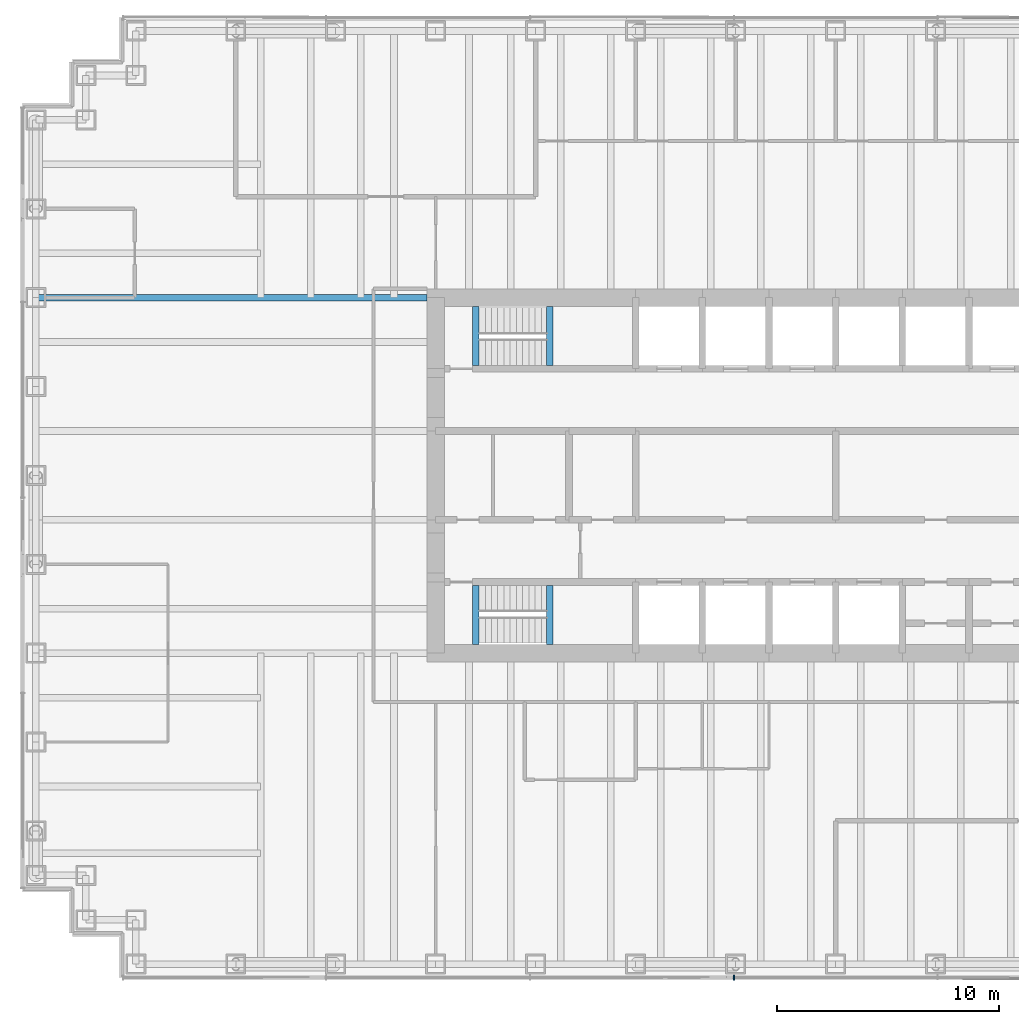
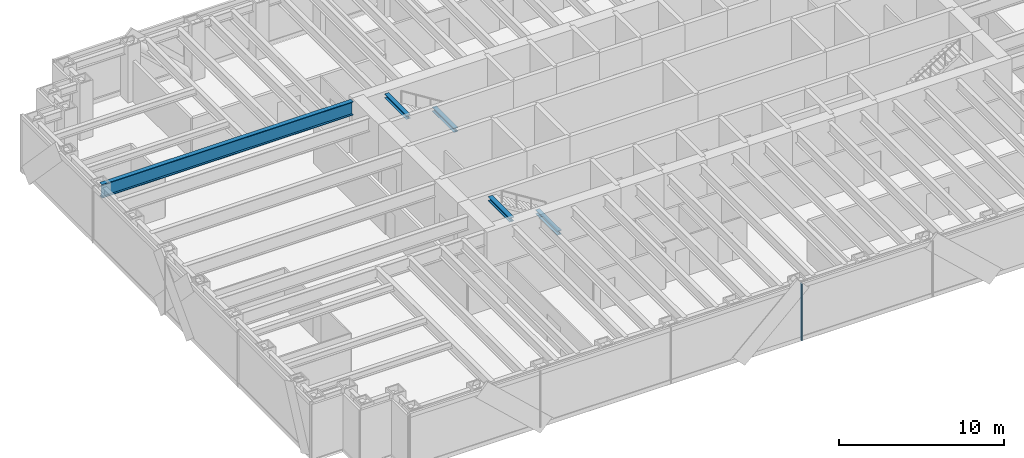
# One storey, part 3 of 15: 5 beams, 1 member, 1 element without a shape of its own.
"""IFC4 building model written with IfcOpenShell, lengths in metres."""

import ifcopenshell
import ifcopenshell.guid

model = None  # the IFC model being written
_history = None  # IfcOwnerHistory: only IFC2X3 demands one
_inside = {}  # id of a spatial element -> (the spatial element, [elements in it])
_under = {}  # id of a project, library or spatial element -> (it, [spatial elements below it])
_declared = {}  # id of a project -> (the project, [libraries it declares])
_typed = {}  # id of a type object -> (the type object, [elements of that type])
_made_of = {}  # id of a material, layer set ... -> (it, [elements and type objects made of it])


def new_model(schema):
    """Start an empty IFC model of exactly this schema.

    Asked for "IFC4X3", IfcOpenShell would pick the latest addendum, in which some entities
    have other attributes; the version numbers below select the first issue.
    IFC2X3 requires an IfcOwnerHistory on every rooted entity: one is made here for all.
    """
    global model, _history
    if schema == "IFC4X3":
        model = ifcopenshell.file(schema_version=(4, 3, 0, 0))
    else:
        model = ifcopenshell.file(schema=schema)
    _inside.clear()
    _under.clear()
    _declared.clear()
    _typed.clear()
    _made_of.clear()
    _history = None
    if model.schema == "IFC2X3":
        org = make("IfcOrganization", Name="unknown")
        user = make(
            "IfcPersonAndOrganization",
            ThePerson=make("IfcPerson", FamilyName="unknown"),
            TheOrganization=org,
        )
        app = make(
            "IfcApplication",
            ApplicationDeveloper=org,
            Version="unknown",
            ApplicationFullName="unknown",
            ApplicationIdentifier="unknown",
        )
        _history = make(
            "IfcOwnerHistory",
            OwningUser=user,
            OwningApplication=app,
            ChangeAction="ADDED",
            CreationDate=0,
        )
    return model


def make(cls, **values):
    """One entity of the class cls with the attributes given. An attribute that is None is left unset."""
    return model.create_entity(
        cls, **{name: value for name, value in values.items() if value is not None}
    )


def rooted(cls, **values):
    """An entity with a GlobalId (a new one), such as an element, a storey or a relation."""
    return make(cls, GlobalId=ifcopenshell.guid.new(), OwnerHistory=_history, **values)


def si_unit(unit_type, name, prefix=None):
    """IfcSIUnit, for example si_unit("LENGTHUNIT", "METRE", prefix="MILLI")."""
    return make("IfcSIUnit", UnitType=unit_type, Prefix=prefix, Name=name)


def assignment(units):
    """IfcUnitAssignment: the units of a project."""
    return None if units is None else make("IfcUnitAssignment", Units=units)


def point(xyz):
    """IfcCartesianPoint."""
    return None if xyz is None else make("IfcCartesianPoint", Coordinates=xyz)


def direction(xyz):
    """IfcDirection."""
    return None if xyz is None else make("IfcDirection", DirectionRatios=xyz)


def frame(location, z_axis=None, x_axis=None):
    """IfcAxis2Placement3D, a coordinate frame: its origin and axes. An axis left out is left unset."""
    return make(
        "IfcAxis2Placement3D",
        Location=point(location),
        Axis=direction(z_axis),
        RefDirection=direction(x_axis),
    )


def frame_2d(location, x_axis=None):
    """IfcAxis2Placement2D, a coordinate frame in the plane: its origin and x axis."""
    return make(
        "IfcAxis2Placement2D", Location=point(location), RefDirection=direction(x_axis)
    )


def origin():
    """The frame at (0, 0, 0) with its axes left unset."""
    return frame((0.0, 0.0, 0.0))


def origin_2d():
    """The frame at (0, 0) in the plane with its x axis left unset."""
    return frame_2d((0.0, 0.0))


def place(relative_to, where):
    """IfcLocalPlacement: puts the frame where relative to a parent placement (None: the world)."""
    return make(
        "IfcLocalPlacement", PlacementRelTo=relative_to, RelativePlacement=where
    )


def context(
    kind, dimensions, precision=None, world=None, true_north=None, identifier=None
):
    """IfcGeometricRepresentationContext, for example the 3D "Model" context."""
    return make(
        "IfcGeometricRepresentationContext",
        ContextIdentifier=identifier,
        ContextType=kind,
        CoordinateSpaceDimension=dimensions,
        Precision=precision,
        WorldCoordinateSystem=world,
        TrueNorth=true_north,
    )


def subcontext(parent, identifier, kind, view, scale=None):
    """IfcGeometricRepresentationSubContext, for example "Body" below "Model"."""
    return make(
        "IfcGeometricRepresentationSubContext",
        ContextIdentifier=identifier,
        ContextType=kind,
        ParentContext=parent,
        TargetScale=scale,
        TargetView=view,
    )


def project(units=None, contexts=None):
    """IfcProject with its units and contexts."""
    return rooted(
        "IfcProject",
        Name="project",
        RepresentationContexts=contexts,
        UnitsInContext=assignment(units),
    )


def spatial(cls, under=None, at=None, **own):
    """A site, building, storey or space (cls), placed at a placement, below another one or the project."""
    s = rooted(cls, ObjectPlacement=at, **own)
    if under is not None:
        _under.setdefault(under.id(), (under, []))[1].append(s)
    return s


def profile(cls, at=None, kind="AREA", **sizes):
    """A parametric profile (cls). Its sizes go by their IFC names, for example OverallWidth=200.0."""
    return make(cls, ProfileType=kind, Position=at, **sizes)


def rectangle(**sizes):
    """IfcRectangleProfileDef."""
    return profile("IfcRectangleProfileDef", **sizes)


def i_section(**sizes):
    """IfcIShapeProfileDef."""
    return profile("IfcIShapeProfileDef", **sizes)


def extrude(swept, where, along, depth):
    """IfcExtrudedAreaSolid: the profile swept, set in the frame where, extruded along a direction by depth."""
    return make(
        "IfcExtrudedAreaSolid",
        SweptArea=swept,
        Position=where,
        ExtrudedDirection=direction(along),
        Depth=depth,
    )


def shape(context_of_items, identifier, shape_type, items):
    """IfcShapeRepresentation: the items that make up one representation, for example the "Body"."""
    return make(
        "IfcShapeRepresentation",
        ContextOfItems=context_of_items,
        RepresentationIdentifier=identifier,
        RepresentationType=shape_type,
        Items=items,
    )


def material(Name=None, Category=None):
    """IfcMaterial."""
    return make("IfcMaterial", Name=Name, Category=Category)


def material_profile(
    of_material, cross_section, Name=None, Category=None, Priority=None
):
    """IfcMaterialProfile: a cross section and its material."""
    return make(
        "IfcMaterialProfile",
        Name=Name,
        Material=of_material,
        Profile=cross_section,
        Priority=Priority,
        Category=Category,
    )


def profile_set(profiles, Name=None, composite=None):
    """IfcMaterialProfileSet."""
    return make(
        "IfcMaterialProfileSet",
        Name=Name,
        MaterialProfiles=profiles,
        CompositeProfile=composite,
    )


def made_of(thing, what):
    """Note that an element or type object is made of a material, layer set ...; save() writes the relation."""
    if what is not None:
        _made_of.setdefault(what.id(), (what, []))[1].append(thing)
    return thing


def type_object(cls, material=None, **own):
    """A type object (cls), such as IfcWallType, which elements share."""
    return made_of(rooted(cls, **own), material)


def element(
    cls,
    number,
    at=None,
    inside=None,
    cuts=None,
    type_object=None,
    material=None,
    context=None,
    identifier="Body",
    shape_type=None,
    held_by="IfcProductDefinitionShape",
    body=None,
    shapes=None,
    **own,
):
    """One element of the class cls, such as IfcWall. Its Tag is "e" and its number.

    at: its placement. inside: the storey or other place that contains it. cuts: it is an
    opening in that element (IfcRelVoidsElement). A single representation is given by context,
    identifier, shape_type and body (its items); several are given by shapes. held_by: the class
    of the entity that holds the representations. save() writes the other relations.
    """
    e = rooted(cls, Tag="e%d" % number, ObjectPlacement=at, **own)
    if body is not None:
        shapes = [shape(context, identifier, shape_type, body)]
    if shapes is not None:
        e.Representation = make(held_by, Representations=shapes)
    if inside is not None:
        _inside.setdefault(inside.id(), (inside, []))[1].append(e)
    if cuts is not None:
        rooted(
            "IfcRelVoidsElement", RelatingBuildingElement=cuts, RelatedOpeningElement=e
        )
    if type_object is not None:
        _typed.setdefault(type_object.id(), (type_object, []))[1].append(e)
    return made_of(e, material)


def aggregate(whole, parts):
    """IfcRelAggregates: a whole, such as a stair, and the parts it consists of."""
    return rooted("IfcRelAggregates", RelatingObject=whole, RelatedObjects=parts)


def save(model, path):
    """Write the relations noted so far, then the file.

    IfcRelAggregates (storeys below a building ...), IfcRelContainedInSpatialStructure (elements
    in a storey), IfcRelDefinesByType, IfcRelAssociatesMaterial and IfcRelDeclares: one each for
    every whole, place, type object, material and project.
    """
    for whole, parts in _under.values():
        aggregate(whole, parts)
    for where, things in _inside.values():
        rooted(
            "IfcRelContainedInSpatialStructure",
            RelatedElements=things,
            RelatingStructure=where,
        )
    for kind, things in _typed.values():
        rooted("IfcRelDefinesByType", RelatedObjects=things, RelatingType=kind)
    for what, things in _made_of.values():
        rooted("IfcRelAssociatesMaterial", RelatedObjects=things, RelatingMaterial=what)
    for by, libraries in _declared.values():
        rooted("IfcRelDeclares", RelatingContext=by, RelatedDefinitions=libraries)
    model.write(path)


model = new_model("IFC4")

# Units and contexts
model_context = context("Model", 3, precision=1e-05, world=origin(), true_north=direction((0.0, 1.0)))
body_context = subcontext(model_context, "Body", "Model", "MODEL_VIEW")
ifc_project = project(units=[si_unit("LENGTHUNIT", "METRE"), si_unit("AREAUNIT", "SQUARE_METRE"), si_unit("VOLUMEUNIT", "CUBIC_METRE"), si_unit("PLANEANGLEUNIT", "RADIAN"), si_unit("MASSUNIT", "GRAM", prefix="KILO")], contexts=[model_context])

# Site, building, storey
site_placement = place(None, origin())
site = spatial("IfcSite", under=ifc_project, at=site_placement, CompositionType="ELEMENT")
building_placement = place(site_placement, origin())
building = spatial("IfcBuilding", under=site, at=building_placement, Name="Rheinbord Bourse Tower", CompositionType="ELEMENT")
storey_placement = place(building_placement, frame((0.0, 0.0, 236.199951171875)))
storey = spatial("IfcBuildingStorey", under=building, at=storey_placement, Name="L53", CompositionType="ELEMENT", Elevation=236.199951171875)

# Curtain wall, member
ifc_material_1 = material(Name="Dark glass and black aluminium", Category="aluminium")
curtain_wall_type = type_object("IfcCurtainWallType", Name="CW2 DARK GLASS CURTAIN WALL", PredefinedType="USERDEFINED", material=ifc_material_1)
curtain_wall_placement = place(storey_placement, origin())
curtain_wall = element("IfcCurtainWall", 1, at=curtain_wall_placement, inside=storey, type_object=curtain_wall_type, Name="Curtain wall CW2 S L53", ObjectType="UNITISED CURTAIN WALL", PredefinedType="USERDEFINED")
ifc_material_2 = material(Name="Black anodised aluminium", Category="aluminium")
ifc_material_profile_1 = material_profile(ifc_material_2, rectangle(XDim=0.219970703125, YDim=0.070068359375, at=origin_2d()), Name="CW2 MULLION 70x220")
ifc_profile_set_1 = profile_set([ifc_material_profile_1], Name="Black anodised aluminium")
member_type = type_object("IfcMemberType", Name="CW2 BLACK MULLION", PredefinedType="MULLION", material=ifc_profile_set_1)
member_placement = place(storey_placement, frame((31.414306640625, 1.39990234375, 0.0), z_axis=(0.0, 0.0, 1.0), x_axis=(0.0, 1.0, 0.0)))
member = element("IfcMember", 2, at=member_placement, type_object=member_type, Name="CW2 mullion 4", PredefinedType="MULLION", context=body_context, shape_type="SweptSolid", body=[
    extrude(rectangle(XDim=0.219970703125, YDim=0.070068359375, at=origin_2d()), origin(), (0.0, 0.0, 1.0), 4.199951171875),
])
aggregate(curtain_wall, [member])

# Beams
ifc_material_3 = material(Name="Steel S460", Category="steel")
ifc_material_profile_2 = material_profile(ifc_material_3, i_section(OverallWidth=0.302001953125, OverallDepth=1.008056640625, WebThickness=0.02099609375, FlangeThickness=0.0400390625, at=origin_2d()), Name="HEM 1000")
ifc_profile_set_2 = profile_set([ifc_material_profile_2], Name="Steel S460")
beam_type_1 = type_object("IfcBeamType", Name="GIRDER HEM 1000", PredefinedType="BEAM", material=ifc_profile_set_2)
beam_placement = place(storey_placement, frame((0.0, 32.0, 3.5361328125), z_axis=(1.0, 0.0, 0.0), x_axis=(0.0, 1.0, 0.0)))
element("IfcBeam", 3, at=beam_placement, inside=storey, type_object=beam_type_1, Name="Girder west 32 L54", PredefinedType="BEAM", context=body_context, shape_type="SweptSolid", body=[
    extrude(i_section(OverallWidth=0.302001953125, OverallDepth=1.008056640625, WebThickness=0.02099609375, FlangeThickness=0.0400390625, at=origin_2d()), origin(), (0.0, 0.0, 1.0), 17.60009765625),
])
ifc_material_4 = material(Name="Steel S460", Category="steel")
ifc_material_profile_3 = material_profile(ifc_material_4, i_section(OverallWidth=0.300048828125, OverallDepth=0.300048828125, WebThickness=0.010986328125, FlangeThickness=0.01904296875, at=origin_2d()), Name="HEB 300")
ifc_profile_set_3 = profile_set([ifc_material_profile_3], Name="Steel S460")
beam_type_2 = type_object("IfcBeamType", Name="LANDING TRIMMER HEB 300", PredefinedType="BEAM", material=ifc_profile_set_3)
for number, where, z_axis, x_axis, name in (
    (4, (23.1298828125, 16.39990234375, 1.75), (0.0, 1.0, 0.0), (-1.0, 0.0, 0.0), "Landing trimmer ST1 L53"),
    (5, (19.800048828125, 16.39990234375, 3.89013671875), (0.0, 1.0, 0.0), (-1.0, 0.0, 0.0), "Well trimmer ST1 under L54"),
    (6, (23.1298828125, 28.949951171875, 1.75), (0.0, 1.0, 0.0), (-1.0, 0.0, 0.0), "Landing trimmer ST2 L53"),
    (7, (19.800048828125, 28.949951171875, 3.89013671875), (0.0, 1.0, 0.0), (-1.0, 0.0, 0.0), "Well trimmer ST2 under L54"),
):
    element("IfcBeam", number, at=place(storey_placement, frame(where, z_axis=z_axis, x_axis=x_axis)), inside=storey, type_object=beam_type_2, Name=name, PredefinedType="BEAM", context=body_context, shape_type="SweptSolid", body=[
        extrude(i_section(OverallWidth=0.300048828125, OverallDepth=0.300048828125, WebThickness=0.010986328125, FlangeThickness=0.01904296875, at=origin_2d()), origin(), (0.0, 0.0, 1.0), 2.650146484375),
    ])

save(model, "model.ifc")
